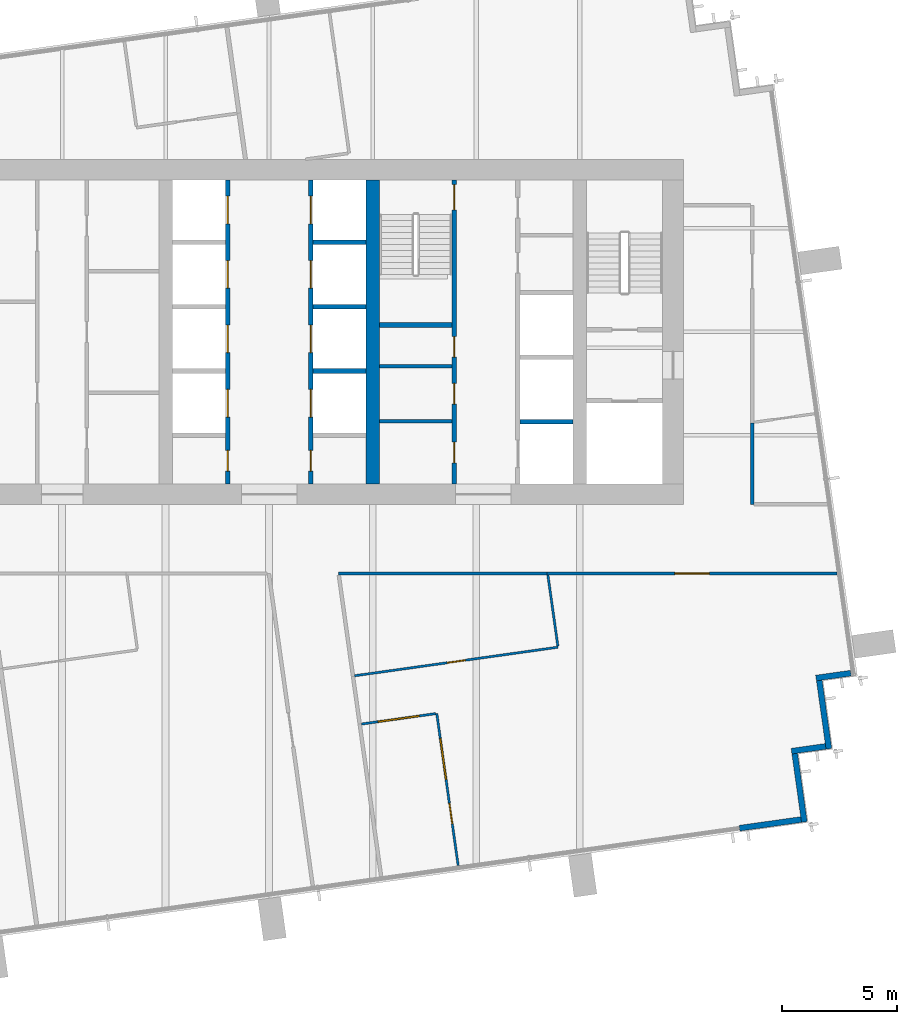
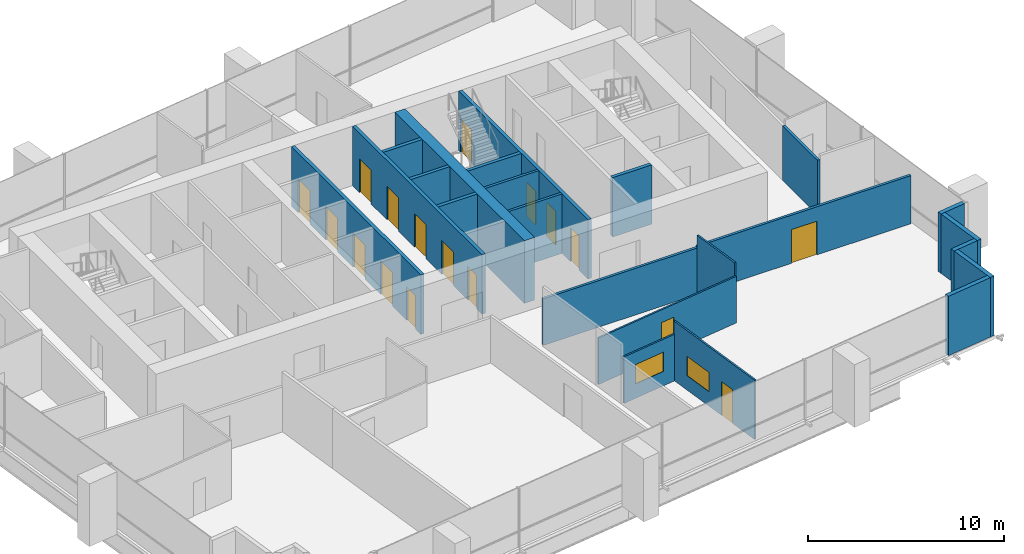
# One storey, part 9 of 12: 23 walls, 17 doors, 2 windows, 19 openings.
"""IFC4 building model written with IfcOpenShell, lengths in metres."""

import ifcopenshell
import ifcopenshell.guid

model = None  # the IFC model being written
_history = None  # IfcOwnerHistory: only IFC2X3 demands one
_inside = {}  # id of a spatial element -> (the spatial element, [elements in it])
_under = {}  # id of a project, library or spatial element -> (it, [spatial elements below it])
_declared = {}  # id of a project -> (the project, [libraries it declares])
_typed = {}  # id of a type object -> (the type object, [elements of that type])
_made_of = {}  # id of a material, layer set ... -> (it, [elements and type objects made of it])


def new_model(schema):
    """Start an empty IFC model of exactly this schema.

    Asked for "IFC4X3", IfcOpenShell would pick the latest addendum, in which some entities
    have other attributes; the version numbers below select the first issue.
    IFC2X3 requires an IfcOwnerHistory on every rooted entity: one is made here for all.
    """
    global model, _history
    if schema == "IFC4X3":
        model = ifcopenshell.file(schema_version=(4, 3, 0, 0))
    else:
        model = ifcopenshell.file(schema=schema)
    _inside.clear()
    _under.clear()
    _declared.clear()
    _typed.clear()
    _made_of.clear()
    _history = None
    if model.schema == "IFC2X3":
        org = make("IfcOrganization", Name="unknown")
        user = make(
            "IfcPersonAndOrganization",
            ThePerson=make("IfcPerson", FamilyName="unknown"),
            TheOrganization=org,
        )
        app = make(
            "IfcApplication",
            ApplicationDeveloper=org,
            Version="unknown",
            ApplicationFullName="unknown",
            ApplicationIdentifier="unknown",
        )
        _history = make(
            "IfcOwnerHistory",
            OwningUser=user,
            OwningApplication=app,
            ChangeAction="ADDED",
            CreationDate=0,
        )
    return model


def make(cls, **values):
    """One entity of the class cls with the attributes given. An attribute that is None is left unset."""
    return model.create_entity(
        cls, **{name: value for name, value in values.items() if value is not None}
    )


def rooted(cls, **values):
    """An entity with a GlobalId (a new one), such as an element, a storey or a relation."""
    return make(cls, GlobalId=ifcopenshell.guid.new(), OwnerHistory=_history, **values)


def si_unit(unit_type, name, prefix=None):
    """IfcSIUnit, for example si_unit("LENGTHUNIT", "METRE", prefix="MILLI")."""
    return make("IfcSIUnit", UnitType=unit_type, Prefix=prefix, Name=name)


def assignment(units):
    """IfcUnitAssignment: the units of a project."""
    return None if units is None else make("IfcUnitAssignment", Units=units)


def point(xyz):
    """IfcCartesianPoint."""
    return None if xyz is None else make("IfcCartesianPoint", Coordinates=xyz)


def direction(xyz):
    """IfcDirection."""
    return None if xyz is None else make("IfcDirection", DirectionRatios=xyz)


def frame(location, z_axis=None, x_axis=None):
    """IfcAxis2Placement3D, a coordinate frame: its origin and axes. An axis left out is left unset."""
    return make(
        "IfcAxis2Placement3D",
        Location=point(location),
        Axis=direction(z_axis),
        RefDirection=direction(x_axis),
    )


def frame_2d(location, x_axis=None):
    """IfcAxis2Placement2D, a coordinate frame in the plane: its origin and x axis."""
    return make(
        "IfcAxis2Placement2D", Location=point(location), RefDirection=direction(x_axis)
    )


def origin():
    """The frame at (0, 0, 0) with its axes left unset."""
    return frame((0.0, 0.0, 0.0))


def place(relative_to, where):
    """IfcLocalPlacement: puts the frame where relative to a parent placement (None: the world)."""
    return make(
        "IfcLocalPlacement", PlacementRelTo=relative_to, RelativePlacement=where
    )


def context(
    kind, dimensions, precision=None, world=None, true_north=None, identifier=None
):
    """IfcGeometricRepresentationContext, for example the 3D "Model" context."""
    return make(
        "IfcGeometricRepresentationContext",
        ContextIdentifier=identifier,
        ContextType=kind,
        CoordinateSpaceDimension=dimensions,
        Precision=precision,
        WorldCoordinateSystem=world,
        TrueNorth=true_north,
    )


def subcontext(parent, identifier, kind, view, scale=None):
    """IfcGeometricRepresentationSubContext, for example "Body" below "Model"."""
    return make(
        "IfcGeometricRepresentationSubContext",
        ContextIdentifier=identifier,
        ContextType=kind,
        ParentContext=parent,
        TargetScale=scale,
        TargetView=view,
    )


def project(units=None, contexts=None):
    """IfcProject with its units and contexts."""
    return rooted(
        "IfcProject",
        Name="project",
        RepresentationContexts=contexts,
        UnitsInContext=assignment(units),
    )


def spatial(cls, under=None, at=None, **own):
    """A site, building, storey or space (cls), placed at a placement, below another one or the project."""
    s = rooted(cls, ObjectPlacement=at, **own)
    if under is not None:
        _under.setdefault(under.id(), (under, []))[1].append(s)
    return s


def profile(cls, at=None, kind="AREA", **sizes):
    """A parametric profile (cls). Its sizes go by their IFC names, for example OverallWidth=200.0."""
    return make(cls, ProfileType=kind, Position=at, **sizes)


def rectangle(**sizes):
    """IfcRectangleProfileDef."""
    return profile("IfcRectangleProfileDef", **sizes)


def extrude(swept, where, along, depth):
    """IfcExtrudedAreaSolid: the profile swept, set in the frame where, extruded along a direction by depth."""
    return make(
        "IfcExtrudedAreaSolid",
        SweptArea=swept,
        Position=where,
        ExtrudedDirection=direction(along),
        Depth=depth,
    )


def shape(context_of_items, identifier, shape_type, items):
    """IfcShapeRepresentation: the items that make up one representation, for example the "Body"."""
    return make(
        "IfcShapeRepresentation",
        ContextOfItems=context_of_items,
        RepresentationIdentifier=identifier,
        RepresentationType=shape_type,
        Items=items,
    )


def material(Name=None, Category=None):
    """IfcMaterial."""
    return make("IfcMaterial", Name=Name, Category=Category)


def layer(
    of_material, thickness, ventilated=None, Name=None, Category=None, Priority=None
):
    """IfcMaterialLayer: one layer of a wall or slab, of a material (None: an air gap)."""
    return make(
        "IfcMaterialLayer",
        Material=of_material,
        LayerThickness=thickness,
        IsVentilated=ventilated,
        Name=Name,
        Category=Category,
        Priority=Priority,
    )


def layer_set(layers, Name=None):
    """IfcMaterialLayerSet."""
    return make("IfcMaterialLayerSet", MaterialLayers=layers, LayerSetName=Name)


def made_of(thing, what):
    """Note that an element or type object is made of a material, layer set ...; save() writes the relation."""
    if what is not None:
        _made_of.setdefault(what.id(), (what, []))[1].append(thing)
    return thing


def type_object(cls, material=None, **own):
    """A type object (cls), such as IfcWallType, which elements share."""
    return made_of(rooted(cls, **own), material)


def element(
    cls,
    number,
    at=None,
    inside=None,
    cuts=None,
    type_object=None,
    material=None,
    context=None,
    identifier="Body",
    shape_type=None,
    held_by="IfcProductDefinitionShape",
    body=None,
    shapes=None,
    **own,
):
    """One element of the class cls, such as IfcWall. Its Tag is "e" and its number.

    at: its placement. inside: the storey or other place that contains it. cuts: it is an
    opening in that element (IfcRelVoidsElement). A single representation is given by context,
    identifier, shape_type and body (its items); several are given by shapes. held_by: the class
    of the entity that holds the representations. save() writes the other relations.
    """
    e = rooted(cls, Tag="e%d" % number, ObjectPlacement=at, **own)
    if body is not None:
        shapes = [shape(context, identifier, shape_type, body)]
    if shapes is not None:
        e.Representation = make(held_by, Representations=shapes)
    if inside is not None:
        _inside.setdefault(inside.id(), (inside, []))[1].append(e)
    if cuts is not None:
        rooted(
            "IfcRelVoidsElement", RelatingBuildingElement=cuts, RelatedOpeningElement=e
        )
    if type_object is not None:
        _typed.setdefault(type_object.id(), (type_object, []))[1].append(e)
    return made_of(e, material)


def fill(opening, filler):
    """IfcRelFillsElement: the door or window that sits in an opening."""
    return rooted(
        "IfcRelFillsElement",
        RelatingOpeningElement=opening,
        RelatedBuildingElement=filler,
    )


def aggregate(whole, parts):
    """IfcRelAggregates: a whole, such as a stair, and the parts it consists of."""
    return rooted("IfcRelAggregates", RelatingObject=whole, RelatedObjects=parts)


def save(model, path):
    """Write the relations noted so far, then the file.

    IfcRelAggregates (storeys below a building ...), IfcRelContainedInSpatialStructure (elements
    in a storey), IfcRelDefinesByType, IfcRelAssociatesMaterial and IfcRelDeclares: one each for
    every whole, place, type object, material and project.
    """
    for whole, parts in _under.values():
        aggregate(whole, parts)
    for where, things in _inside.values():
        rooted(
            "IfcRelContainedInSpatialStructure",
            RelatedElements=things,
            RelatingStructure=where,
        )
    for kind, things in _typed.values():
        rooted("IfcRelDefinesByType", RelatedObjects=things, RelatingType=kind)
    for what, things in _made_of.values():
        rooted("IfcRelAssociatesMaterial", RelatedObjects=things, RelatingMaterial=what)
    for by, libraries in _declared.values():
        rooted("IfcRelDeclares", RelatingContext=by, RelatedDefinitions=libraries)
    model.write(path)


model = new_model("IFC4")

# Units and contexts
model_context = context("Model", 3, precision=1e-05, world=origin(), true_north=direction((0.0, 1.0)))
body_context = subcontext(model_context, "Body", "Model", "MODEL_VIEW")
ifc_project = project(units=[si_unit("LENGTHUNIT", "METRE"), si_unit("AREAUNIT", "SQUARE_METRE"), si_unit("VOLUMEUNIT", "CUBIC_METRE"), si_unit("PLANEANGLEUNIT", "RADIAN"), si_unit("MASSUNIT", "GRAM", prefix="KILO")], contexts=[model_context])

# Site, building, storey
site_placement = place(None, origin())
site = spatial("IfcSite", under=ifc_project, at=site_placement, CompositionType="ELEMENT")
building_placement = place(site_placement, origin())
building = spatial("IfcBuilding", under=site, at=building_placement, Name="Rattan Terrace Tower", CompositionType="ELEMENT")
storey_placement = place(building_placement, frame((0.0, 0.0, 282.39990234375)))
storey = spatial("IfcBuildingStorey", under=building, at=storey_placement, Name="L65", CompositionType="ELEMENT", Elevation=282.39990234375)

# Walls
ifc_material_1 = material(Name="Gypsum board partition")
ifc_layer_1 = layer(ifc_material_1, 0.14990234375)
ifc_layer_set_1 = layer_set([ifc_layer_1], Name="Core partition 150")
wall_type_1 = type_object("IfcWallType", Name="Core partition 150", PredefinedType="PARTITIONING", material=ifc_layer_set_1)
for number, where, z_axis, x_axis, name in (
    (1, (4.800048828125, -3.8798828125, 0.0), (0.0, 0.0, 1.0), (1.0, 0.0, 0.0), "Toilet wall"),
    (2, (4.800048828125, -1.5, 0.0), (0.0, 0.0, 1.0), (1.0, 0.0, 0.0), "Toilet wall"),
):
    element("IfcWall", number, at=place(storey_placement, frame(where, z_axis=z_axis, x_axis=x_axis)), inside=storey, type_object=wall_type_1, Name=name, PredefinedType="PARTITIONING", context=body_context, shape_type="SweptSolid", body=[
        extrude(rectangle(XDim=3.14990234375, YDim=0.14990234375, at=frame_2d((1.574951171875, 0.0))), origin(), (0.0, 0.0, 1.0), 3.7001953125),
    ])

# Wall, openings, doors
ifc_material_2 = material(Name="Gypsum board partition")
ifc_layer_2 = layer(ifc_material_2, 0.199951171875)
ifc_layer_set_2 = layer_set([ifc_layer_2], Name="Core partition 200")
wall_type_2 = type_object("IfcWallType", Name="Core partition 200", PredefinedType="PARTITIONING", material=ifc_layer_set_2)
wall_1_placement = place(storey_placement, frame((8.050048828125, -6.60009765625, 0.0), z_axis=(0.0, 0.0, 1.0), x_axis=(0.0, 1.0, 0.0)))
wall_1 = element("IfcWall", 3, at=wall_1_placement, inside=storey, type_object=wall_type_2, Name="Lobby wall west", PredefinedType="PARTITIONING", context=body_context, shape_type="SweptSolid", body=[
    extrude(rectangle(XDim=13.2001953125, YDim=0.199951171875, at=frame_2d((6.60009765625, 0.0))), origin(), (0.0, 0.0, 1.0), 3.7001953125),
])
opening_1_placement = place(wall_1_placement, frame((0.909912109375, 0.0, 0.0)))
opening_1 = element("IfcOpeningElement", 4, at=opening_1_placement, cuts=wall_1, Name="Opening L65-D014", PredefinedType="OPENING", context=body_context, shape_type="SweptSolid", body=[
    extrude(rectangle(XDim=0.89990234375, YDim=2.10009765625, at=frame_2d((0.449951171875, 1.050048828125))), frame((0.0, 0.110595703125, 0.0), z_axis=(0.0, -1.0, 0.0), x_axis=(1.0, 0.0, 0.0)), (0.0, 0.0, 1.0), 0.220947265625),
])
opening_2_placement = place(wall_1_placement, frame((3.4599609375, 0.0, 0.0)))
opening_2 = element("IfcOpeningElement", 5, at=opening_2_placement, cuts=wall_1, Name="Opening L65-D015", PredefinedType="OPENING", context=body_context, shape_type="SweptSolid", body=[
    extrude(rectangle(XDim=0.89990234375, YDim=2.10009765625, at=frame_2d((0.449951171875, 1.050048828125))), frame((0.0, 0.110595703125, 0.0), z_axis=(0.0, -1.0, 0.0), x_axis=(1.0, 0.0, 0.0)), (0.0, 0.0, 1.0), 0.220947265625),
])
opening_3_placement = place(wall_1_placement, frame((5.5, 0.0, 0.0)))
opening_3 = element("IfcOpeningElement", 6, at=opening_3_placement, cuts=wall_1, Name="Opening L65-D016", PredefinedType="OPENING", context=body_context, shape_type="SweptSolid", body=[
    extrude(rectangle(XDim=0.89990234375, YDim=2.10009765625, at=frame_2d((0.449951171875, 1.050048828125))), frame((0.0, 0.110595703125, 0.0), z_axis=(0.0, -1.0, 0.0), x_axis=(1.0, 0.0, 0.0)), (0.0, 0.0, 1.0), 0.220947265625),
])
opening_4_placement = place(wall_1_placement, frame((11.89990234375, 0.0, 0.0)))
opening_4 = element("IfcOpeningElement", 7, at=opening_4_placement, cuts=wall_1, Name="Opening L65-D017", PredefinedType="OPENING", context=body_context, shape_type="SweptSolid", body=[
    extrude(rectangle(XDim=1.10009765625, YDim=2.10009765625, at=frame_2d((0.550048828125, 1.050048828125))), frame((0.0, 0.110595703125, 0.0), z_axis=(0.0, -1.0, 0.0), x_axis=(1.0, 0.0, 0.0)), (0.0, 0.0, 1.0), 0.220947265625),
])
ifc_material_3 = material(Name="Hollow-metal fire door leaf")
door_type_1 = type_object("IfcDoorType", Name="Core service room door 900", OperationType="NOTDEFINED", PredefinedType="DOOR", material=ifc_material_3)
door_1_placement = place(opening_3_placement, origin())
door_1 = element("IfcDoor", 8, at=door_1_placement, inside=storey, type_object=door_type_1, Name="Door L65-D016", OperationType="SINGLE_SWING_RIGHT", OverallHeight=2.10009765625, OverallWidth=0.89990234375, PredefinedType="DOOR", context=body_context, shape_type="SweptSolid", body=[
    extrude(rectangle(XDim=0.89990234375, YDim=2.10009765625, at=frame_2d((0.449951171875, 1.050048828125))), frame((0.0, 0.02490234375, 0.0), z_axis=(0.0, -1.0, 0.0), x_axis=(1.0, 0.0, 0.0)), (0.0, 0.0, 1.0), 0.050048828125),
])
fill(opening_3, door_1)
ifc_material_4 = material(Name="Hollow-metal fire door leaf")
door_type_2 = type_object("IfcDoorType", Name="Core stair door 1100", OperationType="NOTDEFINED", PredefinedType="DOOR", material=ifc_material_4)
door_2_placement = place(opening_4_placement, origin())
door_2 = element("IfcDoor", 9, at=door_2_placement, inside=storey, type_object=door_type_2, Name="Door L65-D017", OperationType="SINGLE_SWING_LEFT", OverallHeight=2.10009765625, OverallWidth=1.10009765625, PredefinedType="DOOR", context=body_context, shape_type="SweptSolid", body=[
    extrude(rectangle(XDim=1.10009765625, YDim=2.10009765625, at=frame_2d((0.550048828125, 1.050048828125))), frame((0.0, 0.02490234375, 0.0), z_axis=(0.0, -1.0, 0.0), x_axis=(1.0, 0.0, 0.0)), (0.0, 0.0, 1.0), 0.050048828125),
])
fill(opening_4, door_2)
ifc_material_5 = material(Name="Hollow-metal fire door leaf")
door_type_3 = type_object("IfcDoorType", Name="Core toilet door 900", OperationType="NOTDEFINED", PredefinedType="DOOR", material=ifc_material_5)
door_3_placement = place(opening_1_placement, origin())
door_3 = element("IfcDoor", 10, at=door_3_placement, inside=storey, type_object=door_type_3, Name="Door L65-D014", OperationType="SINGLE_SWING_RIGHT", OverallHeight=2.10009765625, OverallWidth=0.89990234375, PredefinedType="DOOR", context=body_context, shape_type="SweptSolid", body=[
    extrude(rectangle(XDim=0.89990234375, YDim=2.10009765625, at=frame_2d((0.449951171875, 1.050048828125))), frame((0.0, 0.02490234375, 0.0), z_axis=(0.0, -1.0, 0.0), x_axis=(1.0, 0.0, 0.0)), (0.0, 0.0, 1.0), 0.050048828125),
])
fill(opening_1, door_3)
door_4_placement = place(opening_2_placement, origin())
door_4 = element("IfcDoor", 11, at=door_4_placement, inside=storey, type_object=door_type_3, Name="Door L65-D015", OperationType="SINGLE_SWING_LEFT", OverallHeight=2.10009765625, OverallWidth=0.89990234375, PredefinedType="DOOR", context=body_context, shape_type="SweptSolid", body=[
    extrude(rectangle(XDim=0.89990234375, YDim=2.10009765625, at=frame_2d((0.449951171875, 1.050048828125))), frame((0.0, 0.02490234375, 0.0), z_axis=(0.0, -1.0, 0.0), x_axis=(1.0, 0.0, 0.0)), (0.0, 0.0, 1.0), 0.050048828125),
])
fill(opening_2, door_4)

# Walls
wall_2_placement = place(storey_placement, frame((4.800048828125, 0.300048828125, 0.0), z_axis=(0.0, 0.0, 1.0), x_axis=(1.0, 0.0, 0.0)))
element("IfcWall", 12, at=wall_2_placement, inside=storey, type_object=wall_type_2, Name="Stair enclosure wall", PredefinedType="PARTITIONING", context=body_context, shape_type="SweptSolid", body=[
    extrude(rectangle(XDim=3.14990234375, YDim=0.199951171875, at=frame_2d((1.574951171875, 0.0))), origin(), (0.0, 0.0, 1.0), 3.7001953125),
])
ifc_material_6 = material(Name="Concrete C50/60", Category="concrete")
ifc_layer_3 = layer(ifc_material_6, 0.60009765625)
ifc_layer_set_3 = layer_set([ifc_layer_3], Name="Core spine wall 600 C50/60")
wall_type_3 = type_object("IfcWallType", Name="Core spine wall 600 C50/60", PredefinedType="SHEAR", material=ifc_layer_set_3)
wall_3_placement = place(storey_placement, frame((4.5, -6.60009765625, -0.199951171875), z_axis=(0.0, 0.0, 1.0), x_axis=(0.0, 1.0, 0.0)))
element("IfcWall", 13, at=wall_3_placement, inside=storey, type_object=wall_type_3, Name="Core spine wall 3", PredefinedType="SHEAR", context=body_context, shape_type="SweptSolid", body=[
    extrude(rectangle(XDim=13.2001953125, YDim=0.60009765625, at=frame_2d((6.60009765625, 0.0))), origin(), (0.0, 0.0, 1.0), 3.900146484375),
])
ifc_material_7 = material(Name="Insulated aluminium-clad stud wall", Category="aluminium")
ifc_layer_4 = layer(ifc_material_7, 0.25)
ifc_layer_set_4 = layer_set([ifc_layer_4], Name="Facade Riser Wall 250")
wall_type_4 = type_object("IfcWallType", Name="Facade Riser Wall 250", PredefinedType="SOLIDWALL", material=ifc_layer_set_4)
wall_4_placement = place(storey_placement, frame((20.4404296875, -21.571533203125, 0.0), z_axis=(0.0, 0.0, 1.0), x_axis=(0.990293105353, 0.138994839796, 0.0)))
element("IfcWall", 14, at=wall_4_placement, inside=storey, type_object=wall_type_4, Name="Riser wall L65-1", PredefinedType="SOLIDWALL", context=body_context, shape_type="SweptSolid", body=[
    extrude(rectangle(XDim=2.705078125, YDim=0.25, at=frame_2d((1.3525390625, 0.0))), origin(), (0.0, 0.0, 1.0), 3.7001953125),
])
wall_5_placement = place(storey_placement, frame((23.260498046875, -21.302001953125, 0.0), z_axis=(0.0, 0.0, 1.0), x_axis=(-0.138994228812, 0.990293191109, 0.0)))
element("IfcWall", 15, at=wall_5_placement, inside=storey, type_object=wall_type_4, Name="Riser wall L65-2", PredefinedType="SOLIDWALL", context=body_context, shape_type="SweptSolid", body=[
    extrude(rectangle(XDim=3.0, YDim=0.25, at=frame_2d((1.5, 0.0))), origin(), (0.0, 0.0, 1.0), 3.7001953125),
])
wall_6_placement = place(storey_placement, frame((22.7021484375, -18.224853515625, 0.0), z_axis=(0.0, 0.0, 1.0), x_axis=(0.990243596651, 0.13934711799, 0.0)))
element("IfcWall", 16, at=wall_6_placement, inside=storey, type_object=wall_type_4, Name="Riser wall L65-3", PredefinedType="SOLIDWALL", context=body_context, shape_type="SweptSolid", body=[
    extrude(rectangle(XDim=1.499755859375, YDim=0.25, at=frame_2d((0.75, 0.0))), origin(), (0.0, 0.0, 1.0), 3.7001953125),
])
wall_7_placement = place(storey_placement, frame((24.328369140625, -18.1220703125, 0.0), z_axis=(0.0, 0.0, 1.0), x_axis=(-0.139358350296, 0.990242015975, 0.0)))
element("IfcWall", 17, at=wall_7_placement, inside=storey, type_object=wall_type_4, Name="Riser wall L65-4", PredefinedType="SOLIDWALL", context=body_context, shape_type="SweptSolid", body=[
    extrude(rectangle(XDim=2.999267578125, YDim=0.25, at=frame_2d((1.49951171875, 0.0))), origin(), (0.0, 0.0, 1.0), 3.7001953125),
])
wall_8_placement = place(storey_placement, frame((23.769287109375, -15.045654296875, 0.0), z_axis=(0.0, 0.0, 1.0), x_axis=(0.990260716096, 0.139225407725, 0.0)))
element("IfcWall", 18, at=wall_8_placement, inside=storey, type_object=wall_type_4, Name="Riser wall L65-5", PredefinedType="SOLIDWALL", context=body_context, shape_type="SweptSolid", body=[
    extrude(rectangle(XDim=1.525634765625, YDim=0.25, at=frame_2d((0.7626953125, 0.0))), origin(), (0.0, 0.0, 1.0), 3.7001953125),
])

# Wall, opening, window
ifc_material_8 = material(Name="Gypsum board partition on steel studs", Category="steel")
ifc_layer_5 = layer(ifc_material_8, 0.10009765625)
ifc_layer_set_5 = layer_set([ifc_layer_5], Name="Floors Partition 100")
wall_type_5 = type_object("IfcWallType", Name="Floors Partition 100", PredefinedType="PARTITIONING", material=ifc_layer_set_5)
wall_9_placement = place(storey_placement, frame((7.23388671875, -16.592041015625, 0.0), z_axis=(0.0, 0.0, 1.0), x_axis=(-0.990276766322, -0.139111200419, 0.0)))
wall_9 = element("IfcWall", 19, at=wall_9_placement, inside=storey, type_object=wall_type_5, Name="pt-L65-025", PredefinedType="PARTITIONING", context=body_context, shape_type="SweptSolid", body=[
    extrude(rectangle(XDim=3.255615234375, YDim=0.10009765625, at=frame_2d((1.6279296875, 0.0))), origin(), (0.0, 0.0, 1.0), 2.900146484375),
])
opening_5_placement = place(wall_9_placement, frame((0.72802734375, 0.0, 0.89990234375)))
opening_5 = element("IfcOpeningElement", 20, at=opening_5_placement, cuts=wall_9, Name="Opening L65-W100", PredefinedType="OPENING", context=body_context, shape_type="SweptSolid", body=[
    extrude(rectangle(XDim=1.800048828125, YDim=1.199951171875, at=frame_2d((0.89990234375, 0.60009765625))), frame((0.0, 0.060546875, 0.0), z_axis=(0.0, -1.0, 0.0), x_axis=(1.0, 0.0, 0.0)), (0.0, 0.0, 1.0), 0.12109375),
])
ifc_material_9 = material(Name="Glass, clear, fixed in aluminium frame", Category="aluminium")
window_type = type_object("IfcWindowType", Name="Interior Vision Window 1800x1200", PartitioningType="SINGLE_PANEL", PredefinedType="WINDOW", material=ifc_material_9)
window_1_placement = place(opening_5_placement, origin())
window_1 = element("IfcWindow", 21, at=window_1_placement, inside=storey, type_object=window_type, Name="w-L65-100", OverallHeight=1.199951171875, OverallWidth=1.800048828125, PartitioningType="SINGLE_PANEL", PredefinedType="WINDOW", context=body_context, shape_type="SweptSolid", body=[
    extrude(rectangle(XDim=1.800048828125, YDim=1.199951171875, at=frame_2d((0.89990234375, 0.60009765625))), frame((0.0, 0.030029296875, 0.0), z_axis=(0.0, -1.0, 0.0), x_axis=(1.0, 0.0, 0.0)), (0.0, 0.0, 1.0), 0.06005859375),
])
fill(opening_5, window_1)

# Wall, openings, door, window
wall_10_placement = place(storey_placement, frame((8.214111328125, -23.197998046875, 0.0), z_axis=(0.0, 0.0, 1.0), x_axis=(-0.139286759584, 0.990252088412, 0.0)))
wall_10 = element("IfcWall", 22, at=wall_10_placement, inside=storey, type_object=wall_type_5, Name="pt-L65-026", PredefinedType="PARTITIONING", context=body_context, shape_type="SweptSolid", body=[
    extrude(rectangle(XDim=6.67822265625, YDim=0.10009765625, at=frame_2d((3.339111328125, 0.0))), origin(), (0.0, 0.0, 1.0), 3.7001953125),
])
opening_6_placement = place(wall_10_placement, frame((1.833984375, 0.0, 0.0)))
opening_6 = element("IfcOpeningElement", 23, at=opening_6_placement, cuts=wall_10, Name="Opening L65-D105", PredefinedType="OPENING", context=body_context, shape_type="SweptSolid", body=[
    extrude(rectangle(XDim=0.89990234375, YDim=2.10009765625, at=frame_2d((0.449951171875, 1.050048828125))), frame((0.0, 0.060546875, 0.0), z_axis=(0.0, -1.0, 0.0), x_axis=(1.0, 0.0, 0.0)), (0.0, 0.0, 1.0), 0.12109375),
])
opening_7_placement = place(wall_10_placement, frame((3.781005859375, 0.0, 0.89990234375)))
opening_7 = element("IfcOpeningElement", 24, at=opening_7_placement, cuts=wall_10, Name="Opening L65-W101", PredefinedType="OPENING", context=body_context, shape_type="SweptSolid", body=[
    extrude(rectangle(XDim=1.800048828125, YDim=1.199951171875, at=frame_2d((0.89990234375, 0.60009765625))), frame((0.0, 0.060546875, 0.0), z_axis=(0.0, -1.0, 0.0), x_axis=(1.0, 0.0, 0.0)), (0.0, 0.0, 1.0), 0.12109375),
])
ifc_material_10 = material(Name="Solid core timber door, painted", Category="wood")
door_type_4 = type_object("IfcDoorType", Name="Floors Door 900x2100", OperationType="NOTDEFINED", PredefinedType="DOOR", material=ifc_material_10)
door_5_placement = place(opening_6_placement, origin())
door_5 = element("IfcDoor", 25, at=door_5_placement, inside=storey, type_object=door_type_4, Name="d-L65-105", OperationType="SINGLE_SWING_LEFT", OverallHeight=2.10009765625, OverallWidth=0.89990234375, PredefinedType="DOOR", context=body_context, shape_type="SweptSolid", body=[
    extrude(rectangle(XDim=0.89990234375, YDim=2.10009765625, at=frame_2d((0.449951171875, 1.050048828125))), frame((0.0, 0.02490234375, 0.0), z_axis=(0.0, -1.0, 0.0), x_axis=(1.0, 0.0, 0.0)), (0.0, 0.0, 1.0), 0.050048828125),
])
fill(opening_6, door_5)
window_2_placement = place(opening_7_placement, origin())
window_2 = element("IfcWindow", 26, at=window_2_placement, inside=storey, type_object=window_type, Name="w-L65-101", OverallHeight=1.199951171875, OverallWidth=1.800048828125, PartitioningType="SINGLE_PANEL", PredefinedType="WINDOW", context=body_context, shape_type="SweptSolid", body=[
    extrude(rectangle(XDim=1.800048828125, YDim=1.199951171875, at=frame_2d((0.89990234375, 0.60009765625))), frame((0.0, 0.030029296875, 0.0), z_axis=(0.0, -1.0, 0.0), x_axis=(1.0, 0.0, 0.0)), (0.0, 0.0, 1.0), 0.06005859375),
])
fill(opening_7, window_2)

# Wall, opening, door
wall_11_placement = place(storey_placement, frame((3.715087890625, -14.946044921875, 0.0), z_axis=(0.0, 0.0, 1.0), x_axis=(0.990272367152, 0.139142512753, 0.0)))
wall_11 = element("IfcWall", 27, at=wall_11_placement, inside=storey, type_object=wall_type_5, Name="pt-L65-027", PredefinedType="PARTITIONING", context=body_context, shape_type="SweptSolid", body=[
    extrude(rectangle(XDim=8.92578125, YDim=0.10009765625, at=frame_2d((4.462890625, 0.0))), origin(), (0.0, 0.0, 1.0), 2.900146484375),
])
opening_8_placement = place(wall_11_placement, frame((4.06298828125, 0.0, 0.0)))
opening_8 = element("IfcOpeningElement", 28, at=opening_8_placement, cuts=wall_11, Name="Opening L65-D106", PredefinedType="OPENING", context=body_context, shape_type="SweptSolid", body=[
    extrude(rectangle(XDim=0.800048828125, YDim=2.10009765625, at=frame_2d((0.39990234375, 1.050048828125))), frame((0.0, 0.060546875, 0.0), z_axis=(0.0, -1.0, 0.0), x_axis=(1.0, 0.0, 0.0)), (0.0, 0.0, 1.0), 0.12109375),
])
ifc_material_11 = material(Name="Solid core timber door, painted", Category="wood")
door_type_5 = type_object("IfcDoorType", Name="Floors Store Door 800x2100", OperationType="NOTDEFINED", PredefinedType="DOOR", material=ifc_material_11)
door_6_placement = place(opening_8_placement, origin())
door_6 = element("IfcDoor", 29, at=door_6_placement, inside=storey, type_object=door_type_5, Name="d-L65-106", OperationType="SINGLE_SWING_LEFT", OverallHeight=2.10009765625, OverallWidth=0.800048828125, PredefinedType="DOOR", context=body_context, shape_type="SweptSolid", body=[
    extrude(rectangle(XDim=0.800048828125, YDim=2.10009765625, at=frame_2d((0.39990234375, 1.050048828125))), frame((0.0, 0.02490234375, 0.0), z_axis=(0.0, -1.0, 0.0), x_axis=(1.0, 0.0, 0.0)), (0.0, 0.0, 1.0), 0.050048828125),
])
fill(opening_8, door_6)

# Wall
wall_12_placement = place(storey_placement, frame((12.547119140625, -13.654052734375, 0.0), z_axis=(0.0, 0.0, 1.0), x_axis=(-0.139293243016, 0.990251176445, 0.0)))
element("IfcWall", 30, at=wall_12_placement, inside=storey, type_object=wall_type_5, Name="pt-L65-028", PredefinedType="PARTITIONING", context=body_context, shape_type="SweptSolid", body=[
    extrude(rectangle(XDim=3.1162109375, YDim=0.10009765625, at=frame_2d((1.55810546875, 0.0))), origin(), (0.0, 0.0, 1.0), 3.7001953125),
])

# Wall, opening, door
ifc_material_12 = material(Name="Gypsum board partition on steel studs, fire rated", Category="steel")
ifc_layer_6 = layer(ifc_material_12, 0.14990234375)
ifc_layer_set_6 = layer_set([ifc_layer_6], Name="Floors Tenancy Wall 150")
wall_type_6 = type_object("IfcWallType", Name="Floors Tenancy Wall 150", PredefinedType="PARTITIONING", material=ifc_layer_set_6)
wall_13_placement = place(storey_placement, frame((24.679931640625, -10.5, 0.0), z_axis=(0.0, 0.0, 1.0), x_axis=(-1.0, 0.0, 0.0)))
wall_13 = element("IfcWall", 31, at=wall_13_placement, inside=storey, type_object=wall_type_6, Name="pt-L65-007", PredefinedType="PARTITIONING", context=body_context, shape_type="SweptSolid", body=[
    extrude(rectangle(XDim=12.596923828125, YDim=0.14990234375, at=frame_2d((6.29833984375, 0.0))), origin(), (0.0, 0.0, 1.0), 3.0),
])
opening_9_placement = place(wall_13_placement, frame((5.549072265625, 0.0, 0.0)))
opening_9 = element("IfcOpeningElement", 32, at=opening_9_placement, cuts=wall_13, Name="Opening L65-D104", PredefinedType="OPENING", context=body_context, shape_type="SweptSolid", body=[
    extrude(rectangle(XDim=1.5, YDim=2.10009765625, at=frame_2d((0.75, 1.050048828125))), frame((0.0, 0.08544921875, 0.0), z_axis=(0.0, -1.0, 0.0), x_axis=(1.0, 0.0, 0.0)), (0.0, 0.0, 1.0), 0.1708984375),
])
ifc_material_13 = material(Name="Steel fire door set", Category="steel")
door_type_6 = type_object("IfcDoorType", Name="Floors Unit Door Pair FD30S 1500x2100", OperationType="NOTDEFINED", PredefinedType="DOOR", material=ifc_material_13)
door_7_placement = place(opening_9_placement, origin())
door_7 = element("IfcDoor", 33, at=door_7_placement, inside=storey, type_object=door_type_6, Name="d-L65-104", OperationType="DOUBLE_DOOR_SINGLE_SWING", OverallHeight=2.10009765625, OverallWidth=1.5, PredefinedType="DOOR", context=body_context, shape_type="SweptSolid", body=[
    extrude(rectangle(XDim=1.5, YDim=2.10009765625, at=frame_2d((0.75, 1.050048828125))), frame((0.0, 0.02490234375, 0.0), z_axis=(0.0, -1.0, 0.0), x_axis=(1.0, 0.0, 0.0)), (0.0, 0.0, 1.0), 0.050048828125),
])
fill(opening_9, door_7)

# Walls
wall_14_placement = place(storey_placement, frame((12.0830078125, -10.5, 0.0), z_axis=(0.0, 0.0, 1.0), x_axis=(-1.0, 0.0, 0.0)))
element("IfcWall", 34, at=wall_14_placement, inside=storey, type_object=wall_type_6, Name="pt-L65-010", PredefinedType="PARTITIONING", context=body_context, shape_type="SweptSolid", body=[
    extrude(rectangle(XDim=9.068115234375, YDim=0.14990234375, at=frame_2d((4.5341796875, 0.0))), origin(), (0.0, 0.0, 1.0), 2.900146484375),
])
wall_15_placement = place(storey_placement, frame((21.0, -3.9580078125, 0.0), z_axis=(0.0, 0.0, 1.0), x_axis=(0.0, -1.0, 0.0)))
element("IfcWall", 35, at=wall_15_placement, inside=storey, type_object=wall_type_6, Name="pt-L65-017", PredefinedType="PARTITIONING", context=body_context, shape_type="SweptSolid", body=[
    extrude(rectangle(XDim=3.5419921875, YDim=0.14990234375, at=frame_2d((1.77099609375, 0.0))), origin(), (0.0, 0.0, 1.0), 3.400146484375),
])

# Wall, openings, doors
ifc_material_14 = material(Name="Gypsum shaft wall system")
ifc_layer_7 = layer(ifc_material_14, 0.199951171875)
ifc_layer_set_7 = layer_set([ifc_layer_7], Name="Lift shaft wall 200")
wall_type_7 = type_object("IfcWallType", Name="Lift shaft wall 200", PredefinedType="PARTITIONING", material=ifc_layer_set_7)
wall_16_placement = place(storey_placement, frame((-1.800048828125, -6.60009765625, 0.0), z_axis=(0.0, 0.0, 1.0), x_axis=(0.0, 1.0, 0.0)))
wall_16 = element("IfcWall", 36, at=wall_16_placement, inside=storey, type_object=wall_type_7, Name="Lift shaft front wall", PredefinedType="PARTITIONING", context=body_context, shape_type="SweptSolid", body=[
    extrude(rectangle(XDim=13.2001953125, YDim=0.199951171875, at=frame_2d((6.60009765625, 0.0))), origin(), (0.0, 0.0, 1.0), 3.7001953125),
])
opening_10_placement = place(wall_16_placement, frame((0.550048828125, 0.0, 0.0)))
opening_10 = element("IfcOpeningElement", 37, at=opening_10_placement, cuts=wall_16, Name="Opening L65-D011", PredefinedType="OPENING", context=body_context, shape_type="SweptSolid", body=[
    extrude(rectangle(XDim=0.89990234375, YDim=2.10009765625, at=frame_2d((0.449951171875, 1.050048828125))), frame((0.0, 0.110595703125, 0.0), z_axis=(0.0, -1.0, 0.0), x_axis=(1.0, 0.0, 0.0)), (0.0, 0.0, 1.0), 0.220947265625),
])
opening_11_placement = place(wall_16_placement, frame((2.89990234375, 0.0, 0.0)))
opening_11 = element("IfcOpeningElement", 38, at=opening_11_placement, cuts=wall_16, Name="Opening L65-LD-HR1", PredefinedType="OPENING", context=body_context, shape_type="SweptSolid", body=[
    extrude(rectangle(XDim=1.199951171875, YDim=2.10009765625, at=frame_2d((0.60009765625, 1.050048828125))), frame((0.0, 0.110595703125, 0.0), z_axis=(0.0, -1.0, 0.0), x_axis=(1.0, 0.0, 0.0)), (0.0, 0.0, 1.0), 0.220947265625),
])
opening_12_placement = place(wall_16_placement, frame((5.699951171875, 0.0, 0.0)))
opening_12 = element("IfcOpeningElement", 39, at=opening_12_placement, cuts=wall_16, Name="Opening L65-LD-HR2", PredefinedType="OPENING", context=body_context, shape_type="SweptSolid", body=[
    extrude(rectangle(XDim=1.199951171875, YDim=2.10009765625, at=frame_2d((0.60009765625, 1.050048828125))), frame((0.0, 0.110595703125, 0.0), z_axis=(0.0, -1.0, 0.0), x_axis=(1.0, 0.0, 0.0)), (0.0, 0.0, 1.0), 0.220947265625),
])
opening_13_placement = place(wall_16_placement, frame((8.5, 0.0, 0.0)))
opening_13 = element("IfcOpeningElement", 40, at=opening_13_placement, cuts=wall_16, Name="Opening L65-LD-HR3", PredefinedType="OPENING", context=body_context, shape_type="SweptSolid", body=[
    extrude(rectangle(XDim=1.199951171875, YDim=2.10009765625, at=frame_2d((0.60009765625, 1.050048828125))), frame((0.0, 0.110595703125, 0.0), z_axis=(0.0, -1.0, 0.0), x_axis=(1.0, 0.0, 0.0)), (0.0, 0.0, 1.0), 0.220947265625),
])
opening_14_placement = place(wall_16_placement, frame((11.300048828125, 0.0, 0.0)))
opening_14 = element("IfcOpeningElement", 41, at=opening_14_placement, cuts=wall_16, Name="Opening L65-LD-HR4", PredefinedType="OPENING", context=body_context, shape_type="SweptSolid", body=[
    extrude(rectangle(XDim=1.199951171875, YDim=2.10009765625, at=frame_2d((0.60009765625, 1.050048828125))), frame((0.0, 0.110595703125, 0.0), z_axis=(0.0, -1.0, 0.0), x_axis=(1.0, 0.0, 0.0)), (0.0, 0.0, 1.0), 0.220947265625),
])
ifc_material_15 = material(Name="Brushed stainless landing door panel")
door_type_7 = type_object("IfcDoorType", Name="Core lift landing door 1200", OperationType="DOUBLE_DOOR_SLIDING", PredefinedType="DOOR", material=ifc_material_15)
door_8_placement = place(opening_11_placement, origin())
door_8 = element("IfcDoor", 42, at=door_8_placement, inside=storey, type_object=door_type_7, Name="Door L65-LD-HR1", OperationType="DOUBLE_DOOR_SLIDING", OverallHeight=2.10009765625, OverallWidth=1.199951171875, PredefinedType="DOOR", context=body_context, shape_type="SweptSolid", body=[
    extrude(rectangle(XDim=1.199951171875, YDim=2.10009765625, at=frame_2d((0.60009765625, 1.050048828125))), frame((0.0, 0.02490234375, 0.0), z_axis=(0.0, -1.0, 0.0), x_axis=(1.0, 0.0, 0.0)), (0.0, 0.0, 1.0), 0.050048828125),
])
fill(opening_11, door_8)
door_9_placement = place(opening_12_placement, origin())
door_9 = element("IfcDoor", 43, at=door_9_placement, inside=storey, type_object=door_type_7, Name="Door L65-LD-HR2", OperationType="DOUBLE_DOOR_SLIDING", OverallHeight=2.10009765625, OverallWidth=1.199951171875, PredefinedType="DOOR", context=body_context, shape_type="SweptSolid", body=[
    extrude(rectangle(XDim=1.199951171875, YDim=2.10009765625, at=frame_2d((0.60009765625, 1.050048828125))), frame((0.0, 0.02490234375, 0.0), z_axis=(0.0, -1.0, 0.0), x_axis=(1.0, 0.0, 0.0)), (0.0, 0.0, 1.0), 0.050048828125),
])
fill(opening_12, door_9)
door_10_placement = place(opening_13_placement, origin())
door_10 = element("IfcDoor", 44, at=door_10_placement, inside=storey, type_object=door_type_7, Name="Door L65-LD-HR3", OperationType="DOUBLE_DOOR_SLIDING", OverallHeight=2.10009765625, OverallWidth=1.199951171875, PredefinedType="DOOR", context=body_context, shape_type="SweptSolid", body=[
    extrude(rectangle(XDim=1.199951171875, YDim=2.10009765625, at=frame_2d((0.60009765625, 1.050048828125))), frame((0.0, 0.02490234375, 0.0), z_axis=(0.0, -1.0, 0.0), x_axis=(1.0, 0.0, 0.0)), (0.0, 0.0, 1.0), 0.050048828125),
])
fill(opening_13, door_10)
door_11_placement = place(opening_14_placement, origin())
door_11 = element("IfcDoor", 45, at=door_11_placement, inside=storey, type_object=door_type_7, Name="Door L65-LD-HR4", OperationType="DOUBLE_DOOR_SLIDING", OverallHeight=2.10009765625, OverallWidth=1.199951171875, PredefinedType="DOOR", context=body_context, shape_type="SweptSolid", body=[
    extrude(rectangle(XDim=1.199951171875, YDim=2.10009765625, at=frame_2d((0.60009765625, 1.050048828125))), frame((0.0, 0.02490234375, 0.0), z_axis=(0.0, -1.0, 0.0), x_axis=(1.0, 0.0, 0.0)), (0.0, 0.0, 1.0), 0.050048828125),
])
fill(opening_14, door_11)
ifc_material_16 = material(Name="Hollow-metal fire door leaf")
door_type_8 = type_object("IfcDoorType", Name="Core riser door 900", OperationType="NOTDEFINED", PredefinedType="DOOR", material=ifc_material_16)
door_12_placement = place(opening_10_placement, origin())
door_12 = element("IfcDoor", 46, at=door_12_placement, inside=storey, type_object=door_type_8, Name="Door L65-D011", OperationType="SINGLE_SWING_RIGHT", OverallHeight=2.10009765625, OverallWidth=0.89990234375, PredefinedType="DOOR", context=body_context, shape_type="SweptSolid", body=[
    extrude(rectangle(XDim=0.89990234375, YDim=2.10009765625, at=frame_2d((0.449951171875, 1.050048828125))), frame((0.0, 0.02490234375, 0.0), z_axis=(0.0, -1.0, 0.0), x_axis=(1.0, 0.0, 0.0)), (0.0, 0.0, 1.0), 0.050048828125),
])
fill(opening_10, door_12)

wall_17_placement = place(storey_placement, frame((1.800048828125, -6.60009765625, 0.0), z_axis=(0.0, 0.0, 1.0), x_axis=(0.0, 1.0, 0.0)))
wall_17 = element("IfcWall", 47, at=wall_17_placement, inside=storey, type_object=wall_type_7, Name="Lift shaft front wall", PredefinedType="PARTITIONING", context=body_context, shape_type="SweptSolid", body=[
    extrude(rectangle(XDim=13.2001953125, YDim=0.199951171875, at=frame_2d((6.60009765625, 0.0))), origin(), (0.0, 0.0, 1.0), 3.7001953125),
])
opening_15_placement = place(wall_17_placement, frame((0.550048828125, 0.0, 0.0)))
opening_15 = element("IfcOpeningElement", 48, at=opening_15_placement, cuts=wall_17, Name="Opening L65-D012", PredefinedType="OPENING", context=body_context, shape_type="SweptSolid", body=[
    extrude(rectangle(XDim=0.89990234375, YDim=2.10009765625, at=frame_2d((0.449951171875, 1.050048828125))), frame((0.0, 0.110595703125, 0.0), z_axis=(0.0, -1.0, 0.0), x_axis=(1.0, 0.0, 0.0)), (0.0, 0.0, 1.0), 0.220947265625),
])
opening_16_placement = place(wall_17_placement, frame((2.89990234375, 0.0, 0.0)))
opening_16 = element("IfcOpeningElement", 49, at=opening_16_placement, cuts=wall_17, Name="Opening L65-LD-HR5", PredefinedType="OPENING", context=body_context, shape_type="SweptSolid", body=[
    extrude(rectangle(XDim=1.199951171875, YDim=2.10009765625, at=frame_2d((0.60009765625, 1.050048828125))), frame((0.0, 0.110595703125, 0.0), z_axis=(0.0, -1.0, 0.0), x_axis=(1.0, 0.0, 0.0)), (0.0, 0.0, 1.0), 0.220947265625),
])
opening_17_placement = place(wall_17_placement, frame((5.699951171875, 0.0, 0.0)))
opening_17 = element("IfcOpeningElement", 50, at=opening_17_placement, cuts=wall_17, Name="Opening L65-LD-HR6", PredefinedType="OPENING", context=body_context, shape_type="SweptSolid", body=[
    extrude(rectangle(XDim=1.199951171875, YDim=2.10009765625, at=frame_2d((0.60009765625, 1.050048828125))), frame((0.0, 0.110595703125, 0.0), z_axis=(0.0, -1.0, 0.0), x_axis=(1.0, 0.0, 0.0)), (0.0, 0.0, 1.0), 0.220947265625),
])
opening_18_placement = place(wall_17_placement, frame((8.5, 0.0, 0.0)))
opening_18 = element("IfcOpeningElement", 51, at=opening_18_placement, cuts=wall_17, Name="Opening L65-LD-HR7", PredefinedType="OPENING", context=body_context, shape_type="SweptSolid", body=[
    extrude(rectangle(XDim=1.199951171875, YDim=2.10009765625, at=frame_2d((0.60009765625, 1.050048828125))), frame((0.0, 0.110595703125, 0.0), z_axis=(0.0, -1.0, 0.0), x_axis=(1.0, 0.0, 0.0)), (0.0, 0.0, 1.0), 0.220947265625),
])
opening_19_placement = place(wall_17_placement, frame((11.300048828125, 0.0, 0.0)))
opening_19 = element("IfcOpeningElement", 52, at=opening_19_placement, cuts=wall_17, Name="Opening L65-LD-HR8", PredefinedType="OPENING", context=body_context, shape_type="SweptSolid", body=[
    extrude(rectangle(XDim=1.199951171875, YDim=2.10009765625, at=frame_2d((0.60009765625, 1.050048828125))), frame((0.0, 0.110595703125, 0.0), z_axis=(0.0, -1.0, 0.0), x_axis=(1.0, 0.0, 0.0)), (0.0, 0.0, 1.0), 0.220947265625),
])
door_13_placement = place(opening_16_placement, origin())
door_13 = element("IfcDoor", 53, at=door_13_placement, inside=storey, type_object=door_type_7, Name="Door L65-LD-HR5", OperationType="DOUBLE_DOOR_SLIDING", OverallHeight=2.10009765625, OverallWidth=1.199951171875, PredefinedType="DOOR", context=body_context, shape_type="SweptSolid", body=[
    extrude(rectangle(XDim=1.199951171875, YDim=2.10009765625, at=frame_2d((0.60009765625, 1.050048828125))), frame((0.0, 0.02490234375, 0.0), z_axis=(0.0, -1.0, 0.0), x_axis=(1.0, 0.0, 0.0)), (0.0, 0.0, 1.0), 0.050048828125),
])
fill(opening_16, door_13)
door_14_placement = place(opening_17_placement, origin())
door_14 = element("IfcDoor", 54, at=door_14_placement, inside=storey, type_object=door_type_7, Name="Door L65-LD-HR6", OperationType="DOUBLE_DOOR_SLIDING", OverallHeight=2.10009765625, OverallWidth=1.199951171875, PredefinedType="DOOR", context=body_context, shape_type="SweptSolid", body=[
    extrude(rectangle(XDim=1.199951171875, YDim=2.10009765625, at=frame_2d((0.60009765625, 1.050048828125))), frame((0.0, 0.02490234375, 0.0), z_axis=(0.0, -1.0, 0.0), x_axis=(1.0, 0.0, 0.0)), (0.0, 0.0, 1.0), 0.050048828125),
])
fill(opening_17, door_14)
door_15_placement = place(opening_18_placement, origin())
door_15 = element("IfcDoor", 55, at=door_15_placement, inside=storey, type_object=door_type_7, Name="Door L65-LD-HR7", OperationType="DOUBLE_DOOR_SLIDING", OverallHeight=2.10009765625, OverallWidth=1.199951171875, PredefinedType="DOOR", context=body_context, shape_type="SweptSolid", body=[
    extrude(rectangle(XDim=1.199951171875, YDim=2.10009765625, at=frame_2d((0.60009765625, 1.050048828125))), frame((0.0, 0.02490234375, 0.0), z_axis=(0.0, -1.0, 0.0), x_axis=(1.0, 0.0, 0.0)), (0.0, 0.0, 1.0), 0.050048828125),
])
fill(opening_18, door_15)
door_16_placement = place(opening_19_placement, origin())
door_16 = element("IfcDoor", 56, at=door_16_placement, inside=storey, type_object=door_type_7, Name="Door L65-LD-HR8", OperationType="DOUBLE_DOOR_SLIDING", OverallHeight=2.10009765625, OverallWidth=1.199951171875, PredefinedType="DOOR", context=body_context, shape_type="SweptSolid", body=[
    extrude(rectangle(XDim=1.199951171875, YDim=2.10009765625, at=frame_2d((0.60009765625, 1.050048828125))), frame((0.0, 0.02490234375, 0.0), z_axis=(0.0, -1.0, 0.0), x_axis=(1.0, 0.0, 0.0)), (0.0, 0.0, 1.0), 0.050048828125),
])
fill(opening_19, door_16)
door_17_placement = place(opening_15_placement, origin())
door_17 = element("IfcDoor", 57, at=door_17_placement, inside=storey, type_object=door_type_8, Name="Door L65-D012", OperationType="SINGLE_SWING_LEFT", OverallHeight=2.10009765625, OverallWidth=0.89990234375, PredefinedType="DOOR", context=body_context, shape_type="SweptSolid", body=[
    extrude(rectangle(XDim=0.89990234375, YDim=2.10009765625, at=frame_2d((0.449951171875, 1.050048828125))), frame((0.0, 0.02490234375, 0.0), z_axis=(0.0, -1.0, 0.0), x_axis=(1.0, 0.0, 0.0)), (0.0, 0.0, 1.0), 0.050048828125),
])
fill(opening_15, door_17)

# Walls
for number, where, z_axis, x_axis, name in (
    (58, (1.89990234375, -1.699951171875, 0.0), (0.0, 0.0, 1.0), (1.0, 0.0, 0.0), "Lift shaft wall"),
    (59, (1.89990234375, 1.10009765625, 0.0), (0.0, 0.0, 1.0), (1.0, 0.0, 0.0), "Lift shaft wall"),
    (60, (1.89990234375, 3.89990234375, 0.0), (0.0, 0.0, 1.0), (1.0, 0.0, 0.0), "Lift shaft wall"),
    (61, (10.89990234375, -3.89990234375, 0.0), (0.0, 0.0, 1.0), (1.0, 0.0, 0.0), "Lift shaft wall"),
):
    element("IfcWall", number, at=place(storey_placement, frame(where, z_axis=z_axis, x_axis=x_axis)), inside=storey, type_object=wall_type_7, Name=name, PredefinedType="PARTITIONING", context=body_context, shape_type="SweptSolid", body=[
        extrude(rectangle(XDim=2.300048828125, YDim=0.199951171875, at=frame_2d((1.14990234375, 0.0))), origin(), (0.0, 0.0, 1.0), 3.7001953125),
    ])

save(model, "model.ifc")
